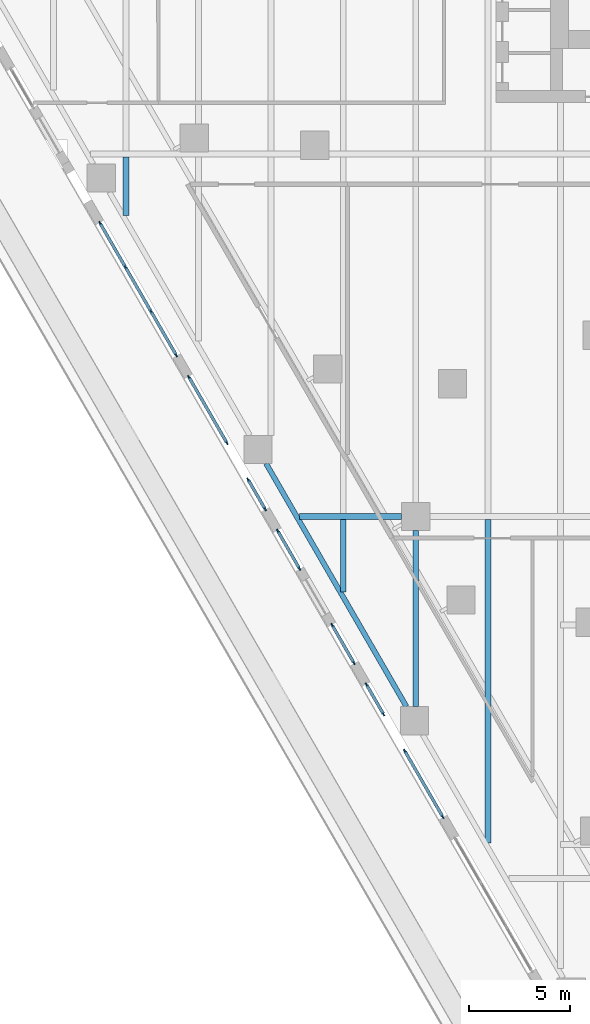
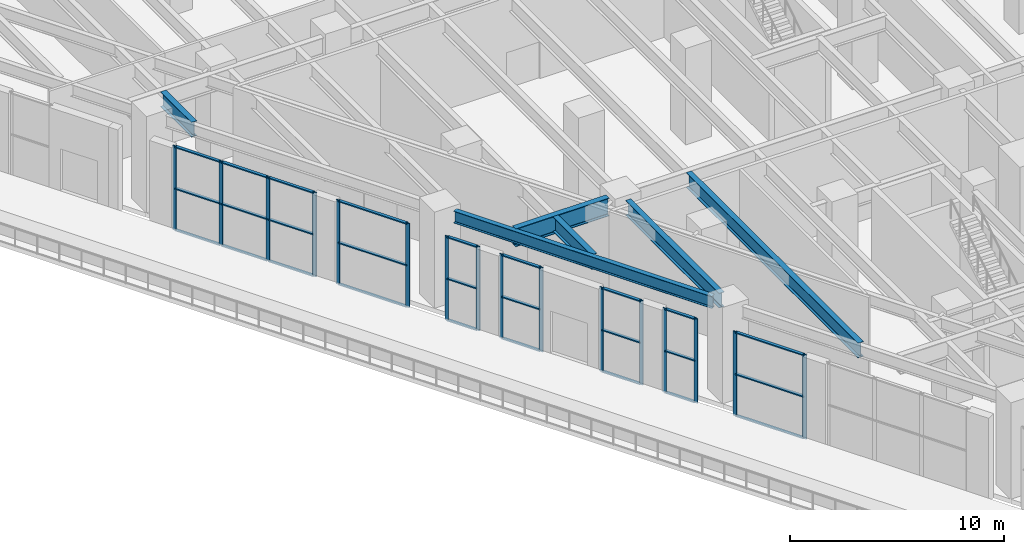
# One storey, part 4 of 30: 43 members, 6 beams, 7 elements without a shape of their own.
"""IFC4 building model written with IfcOpenShell, lengths in metres."""

import ifcopenshell
import ifcopenshell.guid

model = None  # the IFC model being written
_history = None  # IfcOwnerHistory: only IFC2X3 demands one
_inside = {}  # id of a spatial element -> (the spatial element, [elements in it])
_under = {}  # id of a project, library or spatial element -> (it, [spatial elements below it])
_declared = {}  # id of a project -> (the project, [libraries it declares])
_typed = {}  # id of a type object -> (the type object, [elements of that type])
_made_of = {}  # id of a material, layer set ... -> (it, [elements and type objects made of it])


def new_model(schema):
    """Start an empty IFC model of exactly this schema.

    Asked for "IFC4X3", IfcOpenShell would pick the latest addendum, in which some entities
    have other attributes; the version numbers below select the first issue.
    IFC2X3 requires an IfcOwnerHistory on every rooted entity: one is made here for all.
    """
    global model, _history
    if schema == "IFC4X3":
        model = ifcopenshell.file(schema_version=(4, 3, 0, 0))
    else:
        model = ifcopenshell.file(schema=schema)
    _inside.clear()
    _under.clear()
    _declared.clear()
    _typed.clear()
    _made_of.clear()
    _history = None
    if model.schema == "IFC2X3":
        org = make("IfcOrganization", Name="unknown")
        user = make(
            "IfcPersonAndOrganization",
            ThePerson=make("IfcPerson", FamilyName="unknown"),
            TheOrganization=org,
        )
        app = make(
            "IfcApplication",
            ApplicationDeveloper=org,
            Version="unknown",
            ApplicationFullName="unknown",
            ApplicationIdentifier="unknown",
        )
        _history = make(
            "IfcOwnerHistory",
            OwningUser=user,
            OwningApplication=app,
            ChangeAction="ADDED",
            CreationDate=0,
        )
    return model


def make(cls, **values):
    """One entity of the class cls with the attributes given. An attribute that is None is left unset."""
    return model.create_entity(
        cls, **{name: value for name, value in values.items() if value is not None}
    )


def rooted(cls, **values):
    """An entity with a GlobalId (a new one), such as an element, a storey or a relation."""
    return make(cls, GlobalId=ifcopenshell.guid.new(), OwnerHistory=_history, **values)


def si_unit(unit_type, name, prefix=None):
    """IfcSIUnit, for example si_unit("LENGTHUNIT", "METRE", prefix="MILLI")."""
    return make("IfcSIUnit", UnitType=unit_type, Prefix=prefix, Name=name)


def assignment(units):
    """IfcUnitAssignment: the units of a project."""
    return None if units is None else make("IfcUnitAssignment", Units=units)


def point(xyz):
    """IfcCartesianPoint."""
    return None if xyz is None else make("IfcCartesianPoint", Coordinates=xyz)


def direction(xyz):
    """IfcDirection."""
    return None if xyz is None else make("IfcDirection", DirectionRatios=xyz)


def frame(location, z_axis=None, x_axis=None):
    """IfcAxis2Placement3D, a coordinate frame: its origin and axes. An axis left out is left unset."""
    return make(
        "IfcAxis2Placement3D",
        Location=point(location),
        Axis=direction(z_axis),
        RefDirection=direction(x_axis),
    )


def frame_2d(location, x_axis=None):
    """IfcAxis2Placement2D, a coordinate frame in the plane: its origin and x axis."""
    return make(
        "IfcAxis2Placement2D", Location=point(location), RefDirection=direction(x_axis)
    )


def origin():
    """The frame at (0, 0, 0) with its axes left unset."""
    return frame((0.0, 0.0, 0.0))


def origin_2d():
    """The frame at (0, 0) in the plane with its x axis left unset."""
    return frame_2d((0.0, 0.0))


def place(relative_to, where):
    """IfcLocalPlacement: puts the frame where relative to a parent placement (None: the world)."""
    return make(
        "IfcLocalPlacement", PlacementRelTo=relative_to, RelativePlacement=where
    )


def context(
    kind, dimensions, precision=None, world=None, true_north=None, identifier=None
):
    """IfcGeometricRepresentationContext, for example the 3D "Model" context."""
    return make(
        "IfcGeometricRepresentationContext",
        ContextIdentifier=identifier,
        ContextType=kind,
        CoordinateSpaceDimension=dimensions,
        Precision=precision,
        WorldCoordinateSystem=world,
        TrueNorth=true_north,
    )


def subcontext(parent, identifier, kind, view, scale=None):
    """IfcGeometricRepresentationSubContext, for example "Body" below "Model"."""
    return make(
        "IfcGeometricRepresentationSubContext",
        ContextIdentifier=identifier,
        ContextType=kind,
        ParentContext=parent,
        TargetScale=scale,
        TargetView=view,
    )


def project(units=None, contexts=None):
    """IfcProject with its units and contexts."""
    return rooted(
        "IfcProject",
        Name="project",
        RepresentationContexts=contexts,
        UnitsInContext=assignment(units),
    )


def spatial(cls, under=None, at=None, **own):
    """A site, building, storey or space (cls), placed at a placement, below another one or the project."""
    s = rooted(cls, ObjectPlacement=at, **own)
    if under is not None:
        _under.setdefault(under.id(), (under, []))[1].append(s)
    return s


def profile(cls, at=None, kind="AREA", **sizes):
    """A parametric profile (cls). Its sizes go by their IFC names, for example OverallWidth=200.0."""
    return make(cls, ProfileType=kind, Position=at, **sizes)


def rectangle(**sizes):
    """IfcRectangleProfileDef."""
    return profile("IfcRectangleProfileDef", **sizes)


def i_section(**sizes):
    """IfcIShapeProfileDef."""
    return profile("IfcIShapeProfileDef", **sizes)


def extrude(swept, where, along, depth):
    """IfcExtrudedAreaSolid: the profile swept, set in the frame where, extruded along a direction by depth."""
    return make(
        "IfcExtrudedAreaSolid",
        SweptArea=swept,
        Position=where,
        ExtrudedDirection=direction(along),
        Depth=depth,
    )


def shape(context_of_items, identifier, shape_type, items):
    """IfcShapeRepresentation: the items that make up one representation, for example the "Body"."""
    return make(
        "IfcShapeRepresentation",
        ContextOfItems=context_of_items,
        RepresentationIdentifier=identifier,
        RepresentationType=shape_type,
        Items=items,
    )


def material(Name=None, Category=None):
    """IfcMaterial."""
    return make("IfcMaterial", Name=Name, Category=Category)


def material_profile(
    of_material, cross_section, Name=None, Category=None, Priority=None
):
    """IfcMaterialProfile: a cross section and its material."""
    return make(
        "IfcMaterialProfile",
        Name=Name,
        Material=of_material,
        Profile=cross_section,
        Priority=Priority,
        Category=Category,
    )


def profile_set(profiles, Name=None, composite=None):
    """IfcMaterialProfileSet."""
    return make(
        "IfcMaterialProfileSet",
        Name=Name,
        MaterialProfiles=profiles,
        CompositeProfile=composite,
    )


def made_of(thing, what):
    """Note that an element or type object is made of a material, layer set ...; save() writes the relation."""
    if what is not None:
        _made_of.setdefault(what.id(), (what, []))[1].append(thing)
    return thing


def type_object(cls, material=None, **own):
    """A type object (cls), such as IfcWallType, which elements share."""
    return made_of(rooted(cls, **own), material)


def element(
    cls,
    number,
    at=None,
    inside=None,
    cuts=None,
    type_object=None,
    material=None,
    context=None,
    identifier="Body",
    shape_type=None,
    held_by="IfcProductDefinitionShape",
    body=None,
    shapes=None,
    **own,
):
    """One element of the class cls, such as IfcWall. Its Tag is "e" and its number.

    at: its placement. inside: the storey or other place that contains it. cuts: it is an
    opening in that element (IfcRelVoidsElement). A single representation is given by context,
    identifier, shape_type and body (its items); several are given by shapes. held_by: the class
    of the entity that holds the representations. save() writes the other relations.
    """
    e = rooted(cls, Tag="e%d" % number, ObjectPlacement=at, **own)
    if body is not None:
        shapes = [shape(context, identifier, shape_type, body)]
    if shapes is not None:
        e.Representation = make(held_by, Representations=shapes)
    if inside is not None:
        _inside.setdefault(inside.id(), (inside, []))[1].append(e)
    if cuts is not None:
        rooted(
            "IfcRelVoidsElement", RelatingBuildingElement=cuts, RelatedOpeningElement=e
        )
    if type_object is not None:
        _typed.setdefault(type_object.id(), (type_object, []))[1].append(e)
    return made_of(e, material)


def aggregate(whole, parts):
    """IfcRelAggregates: a whole, such as a stair, and the parts it consists of."""
    return rooted("IfcRelAggregates", RelatingObject=whole, RelatedObjects=parts)


def save(model, path):
    """Write the relations noted so far, then the file.

    IfcRelAggregates (storeys below a building ...), IfcRelContainedInSpatialStructure (elements
    in a storey), IfcRelDefinesByType, IfcRelAssociatesMaterial and IfcRelDeclares: one each for
    every whole, place, type object, material and project.
    """
    for whole, parts in _under.values():
        aggregate(whole, parts)
    for where, things in _inside.values():
        rooted(
            "IfcRelContainedInSpatialStructure",
            RelatedElements=things,
            RelatingStructure=where,
        )
    for kind, things in _typed.values():
        rooted("IfcRelDefinesByType", RelatedObjects=things, RelatingType=kind)
    for what, things in _made_of.values():
        rooted("IfcRelAssociatesMaterial", RelatedObjects=things, RelatingMaterial=what)
    for by, libraries in _declared.values():
        rooted("IfcRelDeclares", RelatingContext=by, RelatedDefinitions=libraries)
    model.write(path)


model = new_model("IFC4")

# Units and contexts
model_context = context("Model", 3, precision=1e-05, world=origin(), true_north=direction((0.0, 1.0)))
body_context = subcontext(model_context, "Body", "Model", "MODEL_VIEW")
ifc_project = project(units=[si_unit("LENGTHUNIT", "METRE"), si_unit("AREAUNIT", "SQUARE_METRE"), si_unit("VOLUMEUNIT", "CUBIC_METRE"), si_unit("PLANEANGLEUNIT", "RADIAN"), si_unit("MASSUNIT", "GRAM", prefix="KILO")], contexts=[model_context])

# Site, building, storey
site_placement = place(None, origin())
site = spatial("IfcSite", under=ifc_project, at=site_placement, CompositionType="ELEMENT")
building_placement = place(site_placement, origin())
building = spatial("IfcBuilding", under=site, at=building_placement, Name="Aloe Facet Convention Tower", CompositionType="ELEMENT")
storey_placement = place(building_placement, frame((0.0, 0.0, 19.5)))
storey = spatial("IfcBuildingStorey", under=building, at=storey_placement, Name="L03", CompositionType="ELEMENT", Elevation=19.5)

# Curtain wall, members
ifc_material_1 = material(Name="Aluminium, anodised", Category="aluminium")
curtain_wall_type = type_object("IfcCurtainWallType", Name="EV-CW-HALL", PredefinedType="USERDEFINED", material=ifc_material_1)
curtain_wall_1_placement = place(storey_placement, origin())
curtain_wall_1 = element("IfcCurtainWall", 1, at=curtain_wall_1_placement, inside=storey, type_object=curtain_wall_type, Name="CW-L03-W06", ObjectType="UNITISED HALL GLAZING", PredefinedType="USERDEFINED")
ifc_material_2 = material(Name="Aluminium, anodised", Category="aluminium")
ifc_material_profile_1 = material_profile(ifc_material_2, rectangle(XDim=0.06494140625, YDim=0.199951171875, at=origin_2d()), Name="AL 65x200")
ifc_profile_set_1 = profile_set([ifc_material_profile_1], Name="Aluminium, anodised")
member_type_1 = type_object("IfcMemberType", Name="EV-MULL-HALL", PredefinedType="MULLION", material=ifc_profile_set_1)
member_1_placement = place(storey_placement, frame((46.3173828125, 113.560546875, -0.25), z_axis=(0.0, 0.0, 1.0), x_axis=(0.866025403802, 0.49999999997, 0.0)))
member_1 = element("IfcMember", 2, at=member_1_placement, type_object=member_type_1, Name="CW-L03-W06 mullion 1", PredefinedType="MULLION", context=body_context, shape_type="SweptSolid", body=[
    extrude(rectangle(XDim=0.06494140625, YDim=0.199951171875, at=origin_2d()), origin(), (0.0, 0.0, 1.0), 4.8125),
])
member_2_placement = place(storey_placement, frame((47.572265625, 111.386962890625, -0.25), z_axis=(0.0, 0.0, 1.0), x_axis=(0.866025403802, 0.49999999997, 0.0)))
member_2 = element("IfcMember", 3, at=member_2_placement, type_object=member_type_1, Name="CW-L03-W06 mullion 2", PredefinedType="MULLION", context=body_context, shape_type="SweptSolid", body=[
    extrude(rectangle(XDim=0.06494140625, YDim=0.199951171875, at=origin_2d()), origin(), (0.0, 0.0, 1.0), 4.8125),
])
member_3_placement = place(storey_placement, frame((48.843505859375, 109.185302734375, -0.25), z_axis=(0.0, 0.0, 1.0), x_axis=(0.866025403802, 0.49999999997, 0.0)))
member_3 = element("IfcMember", 4, at=member_3_placement, type_object=member_type_1, Name="CW-L03-W06 mullion 3", PredefinedType="MULLION", context=body_context, shape_type="SweptSolid", body=[
    extrude(rectangle(XDim=0.06494140625, YDim=0.199951171875, at=origin_2d()), origin(), (0.0, 0.0, 1.0), 4.8125),
])
member_4_placement = place(storey_placement, frame((50.098388671875, 107.011962890625, -0.25), z_axis=(0.0, 0.0, 1.0), x_axis=(0.866025403802, 0.49999999997, 0.0)))
member_4 = element("IfcMember", 5, at=member_4_placement, type_object=member_type_1, Name="CW-L03-W06 mullion 4", PredefinedType="MULLION", context=body_context, shape_type="SweptSolid", body=[
    extrude(rectangle(XDim=0.06494140625, YDim=0.199951171875, at=origin_2d()), origin(), (0.0, 0.0, 1.0), 4.8125),
])

curtain_wall_2_placement = place(storey_placement, origin())
curtain_wall_2 = element("IfcCurtainWall", 6, at=curtain_wall_2_placement, inside=storey, type_object=curtain_wall_type, Name="CW-L03-W08-1", ObjectType="UNITISED HALL GLAZING", PredefinedType="USERDEFINED")
member_5_placement = place(storey_placement, frame((50.730712890625, 105.916259765625, -0.25), z_axis=(0.0, 0.0, 1.0), x_axis=(0.866025403802, 0.49999999997, 0.0)))
member_5 = element("IfcMember", 7, at=member_5_placement, type_object=member_type_1, Name="CW-L03-W08-1 mullion 1", PredefinedType="MULLION", context=body_context, shape_type="SweptSolid", body=[
    extrude(rectangle(XDim=0.06494140625, YDim=0.199951171875, at=origin_2d()), origin(), (0.0, 0.0, 1.0), 4.8125),
])
member_6_placement = place(storey_placement, frame((52.614990234375, 102.65283203125, -0.25), z_axis=(0.0, 0.0, 1.0), x_axis=(0.866025403802, 0.49999999997, 0.0)))
member_6 = element("IfcMember", 8, at=member_6_placement, type_object=member_type_1, Name="CW-L03-W08-1 mullion 2", PredefinedType="MULLION", context=body_context, shape_type="SweptSolid", body=[
    extrude(rectangle(XDim=0.06494140625, YDim=0.199951171875, at=origin_2d()), origin(), (0.0, 0.0, 1.0), 4.8125),
])

curtain_wall_3_placement = place(storey_placement, origin())
curtain_wall_3 = element("IfcCurtainWall", 9, at=curtain_wall_3_placement, inside=storey, type_object=curtain_wall_type, Name="CW-L03-W08-2", ObjectType="UNITISED HALL GLAZING", PredefinedType="USERDEFINED")
member_7_placement = place(storey_placement, frame((53.671875, 100.822021484375, -0.25), z_axis=(0.0, 0.0, 1.0), x_axis=(0.866025403846, 0.499999999894, 0.0)))
member_7 = element("IfcMember", 10, at=member_7_placement, type_object=member_type_1, Name="CW-L03-W08-2 mullion 1", PredefinedType="MULLION", context=body_context, shape_type="SweptSolid", body=[
    extrude(rectangle(XDim=0.06494140625, YDim=0.199951171875, at=origin_2d()), origin(), (0.0, 0.0, 1.0), 4.8125),
])
member_8_placement = place(storey_placement, frame((54.51171875, 99.36767578125, -0.25), z_axis=(0.0, 0.0, 1.0), x_axis=(0.866025403846, 0.499999999894, 0.0)))
member_8 = element("IfcMember", 11, at=member_8_placement, type_object=member_type_1, Name="CW-L03-W08-2 mullion 2", PredefinedType="MULLION", context=body_context, shape_type="SweptSolid", body=[
    extrude(rectangle(XDim=0.06494140625, YDim=0.199951171875, at=origin_2d()), origin(), (0.0, 0.0, 1.0), 4.8125),
])

curtain_wall_4_placement = place(storey_placement, origin())
curtain_wall_4 = element("IfcCurtainWall", 12, at=curtain_wall_4_placement, inside=storey, type_object=curtain_wall_type, Name="CW-L03-W10A", ObjectType="UNITISED HALL GLAZING", PredefinedType="USERDEFINED")
member_9_placement = place(storey_placement, frame((55.14404296875, 98.272216796875, -0.25), z_axis=(0.0, 0.0, 1.0), x_axis=(0.86602540388, 0.499999999834, 0.0)))
member_9 = element("IfcMember", 13, at=member_9_placement, type_object=member_type_1, Name="CW-L03-W10A mullion 1", PredefinedType="MULLION", context=body_context, shape_type="SweptSolid", body=[
    extrude(rectangle(XDim=0.06494140625, YDim=0.199951171875, at=origin_2d()), origin(), (0.0, 0.0, 1.0), 4.8125),
])
member_10_placement = place(storey_placement, frame((56.21826171875, 96.41162109375, -0.25), z_axis=(0.0, 0.0, 1.0), x_axis=(0.86602540388, 0.499999999834, 0.0)))
member_10 = element("IfcMember", 14, at=member_10_placement, type_object=member_type_1, Name="CW-L03-W10A mullion 2", PredefinedType="MULLION", context=body_context, shape_type="SweptSolid", body=[
    extrude(rectangle(XDim=0.06494140625, YDim=0.199951171875, at=origin_2d()), origin(), (0.0, 0.0, 1.0), 4.8125),
])

curtain_wall_5_placement = place(storey_placement, origin())
curtain_wall_5 = element("IfcCurtainWall", 15, at=curtain_wall_5_placement, inside=storey, type_object=curtain_wall_type, Name="CW-L03-W10B", ObjectType="UNITISED HALL GLAZING", PredefinedType="USERDEFINED")
member_11_placement = place(storey_placement, frame((57.850830078125, 93.583984375, -0.25), z_axis=(0.0, 0.0, 1.0), x_axis=(0.866025403767, 0.50000000003, 0.0)))
member_11 = element("IfcMember", 16, at=member_11_placement, type_object=member_type_1, Name="CW-L03-W10B mullion 1", PredefinedType="MULLION", context=body_context, shape_type="SweptSolid", body=[
    extrude(rectangle(XDim=0.06494140625, YDim=0.199951171875, at=origin_2d()), origin(), (0.0, 0.0, 1.0), 4.8125),
])
member_12_placement = place(storey_placement, frame((58.925048828125, 91.723388671875, -0.25), z_axis=(0.0, 0.0, 1.0), x_axis=(0.866025403767, 0.50000000003, 0.0)))
member_12 = element("IfcMember", 17, at=member_12_placement, type_object=member_type_1, Name="CW-L03-W10B mullion 2", PredefinedType="MULLION", context=body_context, shape_type="SweptSolid", body=[
    extrude(rectangle(XDim=0.06494140625, YDim=0.199951171875, at=origin_2d()), origin(), (0.0, 0.0, 1.0), 4.8125),
])

curtain_wall_6_placement = place(storey_placement, origin())
curtain_wall_6 = element("IfcCurtainWall", 18, at=curtain_wall_6_placement, inside=storey, type_object=curtain_wall_type, Name="CW-L03-W12-1", ObjectType="UNITISED HALL GLAZING", PredefinedType="USERDEFINED")
member_13_placement = place(storey_placement, frame((59.5576171875, 90.6279296875, -0.25), z_axis=(0.0, 0.0, 1.0), x_axis=(0.866025403531, 0.500000000438, 0.0)))
member_13 = element("IfcMember", 19, at=member_13_placement, type_object=member_type_1, Name="CW-L03-W12-1 mullion 1", PredefinedType="MULLION", context=body_context, shape_type="SweptSolid", body=[
    extrude(rectangle(XDim=0.06494140625, YDim=0.199951171875, at=origin_2d()), origin(), (0.0, 0.0, 1.0), 4.8125),
])
member_14_placement = place(storey_placement, frame((60.3974609375, 89.173095703125, -0.25), z_axis=(0.0, 0.0, 1.0), x_axis=(0.866025403531, 0.500000000438, 0.0)))
member_14 = element("IfcMember", 20, at=member_14_placement, type_object=member_type_1, Name="CW-L03-W12-1 mullion 2", PredefinedType="MULLION", context=body_context, shape_type="SweptSolid", body=[
    extrude(rectangle(XDim=0.06494140625, YDim=0.199951171875, at=origin_2d()), origin(), (0.0, 0.0, 1.0), 4.8125),
])

curtain_wall_7_placement = place(storey_placement, origin())
curtain_wall_7 = element("IfcCurtainWall", 21, at=curtain_wall_7_placement, inside=storey, type_object=curtain_wall_type, Name="CW-L03-W12-2", ObjectType="UNITISED HALL GLAZING", PredefinedType="USERDEFINED")
member_15_placement = place(storey_placement, frame((61.454345703125, 87.34228515625, -0.25), z_axis=(0.0, 0.0, 1.0), x_axis=(0.866025403767, 0.50000000003, 0.0)))
member_15 = element("IfcMember", 22, at=member_15_placement, type_object=member_type_1, Name="CW-L03-W12-2 mullion 1", PredefinedType="MULLION", context=body_context, shape_type="SweptSolid", body=[
    extrude(rectangle(XDim=0.06494140625, YDim=0.199951171875, at=origin_2d()), origin(), (0.0, 0.0, 1.0), 4.8125),
])
member_16_placement = place(storey_placement, frame((63.33837890625, 84.0791015625, -0.25), z_axis=(0.0, 0.0, 1.0), x_axis=(0.866025403767, 0.50000000003, 0.0)))
member_16 = element("IfcMember", 23, at=member_16_placement, type_object=member_type_1, Name="CW-L03-W12-2 mullion 2", PredefinedType="MULLION", context=body_context, shape_type="SweptSolid", body=[
    extrude(rectangle(XDim=0.06494140625, YDim=0.199951171875, at=origin_2d()), origin(), (0.0, 0.0, 1.0), 4.8125),
])

# Member
ifc_material_3 = material(Name="Aluminium, anodised", Category="aluminium")
ifc_material_profile_2 = material_profile(ifc_material_3, rectangle(XDim=0.159912109375, YDim=0.06494140625, at=origin_2d()), Name="AL 160x65")
ifc_profile_set_2 = profile_set([ifc_material_profile_2], Name="Aluminium, anodised")
member_type_2 = type_object("IfcMemberType", Name="EV-TRAN-HALL", PredefinedType="USERDEFINED", material=ifc_profile_set_2)
member_17_placement = place(storey_placement, frame((46.333740234375, 113.532470703125, -0.217529296875), z_axis=(0.499941460885, -0.86605919872, 0.0), x_axis=(0.86605919872, 0.499941460885, 0.0)))
member_17 = element("IfcMember", 24, at=member_17_placement, type_object=member_type_2, Name="CW-L03-W06 transom 1.1", ObjectType="TRANSOM", PredefinedType="USERDEFINED", context=body_context, shape_type="SweptSolid", body=[
    extrude(rectangle(XDim=0.159912109375, YDim=0.06494140625, at=origin_2d()), origin(), (0.0, 0.0, 1.0), 2.444580078125),
])

member_18_placement = place(storey_placement, frame((46.333740234375, 113.532470703125, 2.15625), z_axis=(0.499941460885, -0.86605919872, 0.0), x_axis=(0.86605919872, 0.499941460885, 0.0)))
member_18 = element("IfcMember", 25, at=member_18_placement, type_object=member_type_2, Name="CW-L03-W06 transom 1.2", ObjectType="TRANSOM", PredefinedType="USERDEFINED", context=body_context, shape_type="SweptSolid", body=[
    extrude(rectangle(XDim=0.159912109375, YDim=0.06494140625, at=origin_2d()), origin(), (0.0, 0.0, 1.0), 2.444580078125),
])

member_19_placement = place(storey_placement, frame((46.333740234375, 113.532470703125, 4.530029296875), z_axis=(0.499941460885, -0.86605919872, 0.0), x_axis=(0.86605919872, 0.499941460885, 0.0)))
member_19 = element("IfcMember", 26, at=member_19_placement, type_object=member_type_2, Name="CW-L03-W06 transom 1.3", ObjectType="TRANSOM", PredefinedType="USERDEFINED", context=body_context, shape_type="SweptSolid", body=[
    extrude(rectangle(XDim=0.159912109375, YDim=0.06494140625, at=origin_2d()), origin(), (0.0, 0.0, 1.0), 2.444580078125),
])

member_20_placement = place(storey_placement, frame((47.588623046875, 111.35888671875, -0.217529296875), z_axis=(0.499986929959, -0.866032949645, 0.0), x_axis=(0.866032949645, 0.499986929959, 0.0)))
member_20 = element("IfcMember", 27, at=member_20_placement, type_object=member_type_2, Name="CW-L03-W06 transom 2.1", ObjectType="TRANSOM", PredefinedType="USERDEFINED", context=body_context, shape_type="SweptSolid", body=[
    extrude(rectangle(XDim=0.159912109375, YDim=0.06494140625, at=origin_2d()), origin(), (0.0, 0.0, 1.0), 2.47705078125),
])

member_21_placement = place(storey_placement, frame((47.588623046875, 111.35888671875, 2.15625), z_axis=(0.499986929959, -0.866032949645, 0.0), x_axis=(0.866032949645, 0.499986929959, 0.0)))
member_21 = element("IfcMember", 28, at=member_21_placement, type_object=member_type_2, Name="CW-L03-W06 transom 2.2", ObjectType="TRANSOM", PredefinedType="USERDEFINED", context=body_context, shape_type="SweptSolid", body=[
    extrude(rectangle(XDim=0.159912109375, YDim=0.06494140625, at=origin_2d()), origin(), (0.0, 0.0, 1.0), 2.47705078125),
])

member_22_placement = place(storey_placement, frame((47.588623046875, 111.35888671875, 4.530029296875), z_axis=(0.499986929959, -0.866032949645, 0.0), x_axis=(0.866032949645, 0.499986929959, 0.0)))
member_22 = element("IfcMember", 29, at=member_22_placement, type_object=member_type_2, Name="CW-L03-W06 transom 2.3", ObjectType="TRANSOM", PredefinedType="USERDEFINED", context=body_context, shape_type="SweptSolid", body=[
    extrude(rectangle(XDim=0.159912109375, YDim=0.06494140625, at=origin_2d()), origin(), (0.0, 0.0, 1.0), 2.47705078125),
])

member_23_placement = place(storey_placement, frame((48.859619140625, 109.1572265625, -0.217529296875), z_axis=(0.500016362458, -0.866015956709, 0.0), x_axis=(0.866015956709, 0.500016362458, 0.0)))
member_23 = element("IfcMember", 30, at=member_23_placement, type_object=member_type_2, Name="CW-L03-W06 transom 3.1", ObjectType="TRANSOM", PredefinedType="USERDEFINED", context=body_context, shape_type="SweptSolid", body=[
    extrude(rectangle(XDim=0.159912109375, YDim=0.06494140625, at=origin_2d()), origin(), (0.0, 0.0, 1.0), 2.44482421875),
])

member_24_placement = place(storey_placement, frame((48.859619140625, 109.1572265625, 2.15625), z_axis=(0.500016362458, -0.866015956709, 0.0), x_axis=(0.866015956709, 0.500016362458, 0.0)))
member_24 = element("IfcMember", 31, at=member_24_placement, type_object=member_type_2, Name="CW-L03-W06 transom 3.2", ObjectType="TRANSOM", PredefinedType="USERDEFINED", context=body_context, shape_type="SweptSolid", body=[
    extrude(rectangle(XDim=0.159912109375, YDim=0.06494140625, at=origin_2d()), origin(), (0.0, 0.0, 1.0), 2.44482421875),
])

member_25_placement = place(storey_placement, frame((48.859619140625, 109.1572265625, 4.530029296875), z_axis=(0.500016362458, -0.866015956709, 0.0), x_axis=(0.866015956709, 0.500016362458, 0.0)))
member_25 = element("IfcMember", 32, at=member_25_placement, type_object=member_type_2, Name="CW-L03-W06 transom 3.3", ObjectType="TRANSOM", PredefinedType="USERDEFINED", context=body_context, shape_type="SweptSolid", body=[
    extrude(rectangle(XDim=0.159912109375, YDim=0.06494140625, at=origin_2d()), origin(), (0.0, 0.0, 1.0), 2.44482421875),
])

aggregate(curtain_wall_1, [member_1, member_2, member_3, member_4, member_17, member_18, member_19, member_20, member_21, member_22, member_23, member_24, member_25])

member_26_placement = place(storey_placement, frame((50.7470703125, 105.88818359375, -0.217529296875), z_axis=(0.499996383721, -0.866027491634, 0.0), x_axis=(0.866027491634, 0.499996383721, 0.0)))
member_26 = element("IfcMember", 33, at=member_26_placement, type_object=member_type_2, Name="CW-L03-W08-1 transom 1.1", ObjectType="TRANSOM", PredefinedType="USERDEFINED", context=body_context, shape_type="SweptSolid", body=[
    extrude(rectangle(XDim=0.159912109375, YDim=0.06494140625, at=origin_2d()), origin(), (0.0, 0.0, 1.0), 3.703125),
])

member_27_placement = place(storey_placement, frame((50.7470703125, 105.88818359375, 2.15625), z_axis=(0.499996383721, -0.866027491634, 0.0), x_axis=(0.866027491634, 0.499996383721, 0.0)))
member_27 = element("IfcMember", 34, at=member_27_placement, type_object=member_type_2, Name="CW-L03-W08-1 transom 1.2", ObjectType="TRANSOM", PredefinedType="USERDEFINED", context=body_context, shape_type="SweptSolid", body=[
    extrude(rectangle(XDim=0.159912109375, YDim=0.06494140625, at=origin_2d()), origin(), (0.0, 0.0, 1.0), 3.703125),
])

member_28_placement = place(storey_placement, frame((50.7470703125, 105.88818359375, 4.530029296875), z_axis=(0.499996383721, -0.866027491634, 0.0), x_axis=(0.866027491634, 0.499996383721, 0.0)))
member_28 = element("IfcMember", 35, at=member_28_placement, type_object=member_type_2, Name="CW-L03-W08-1 transom 1.3", ObjectType="TRANSOM", PredefinedType="USERDEFINED", context=body_context, shape_type="SweptSolid", body=[
    extrude(rectangle(XDim=0.159912109375, YDim=0.06494140625, at=origin_2d()), origin(), (0.0, 0.0, 1.0), 3.703125),
])

aggregate(curtain_wall_2, [member_5, member_6, member_26, member_27, member_28])

member_29_placement = place(storey_placement, frame((53.688232421875, 100.7939453125, -0.217529296875), z_axis=(0.499944992379, -0.86605716012, 0.0), x_axis=(0.86605716012, 0.499944992379, 0.0)))
member_29 = element("IfcMember", 36, at=member_29_placement, type_object=member_type_2, Name="CW-L03-W08-2 transom 1.1", ObjectType="TRANSOM", PredefinedType="USERDEFINED", context=body_context, shape_type="SweptSolid", body=[
    extrude(rectangle(XDim=0.159912109375, YDim=0.06494140625, at=origin_2d()), origin(), (0.0, 0.0, 1.0), 1.614501953125),
])

member_30_placement = place(storey_placement, frame((53.688232421875, 100.7939453125, 2.15625), z_axis=(0.499944992379, -0.86605716012, 0.0), x_axis=(0.86605716012, 0.499944992379, 0.0)))
member_30 = element("IfcMember", 37, at=member_30_placement, type_object=member_type_2, Name="CW-L03-W08-2 transom 1.2", ObjectType="TRANSOM", PredefinedType="USERDEFINED", context=body_context, shape_type="SweptSolid", body=[
    extrude(rectangle(XDim=0.159912109375, YDim=0.06494140625, at=origin_2d()), origin(), (0.0, 0.0, 1.0), 1.614501953125),
])

member_31_placement = place(storey_placement, frame((53.688232421875, 100.7939453125, 4.530029296875), z_axis=(0.499944992379, -0.86605716012, 0.0), x_axis=(0.86605716012, 0.499944992379, 0.0)))
member_31 = element("IfcMember", 38, at=member_31_placement, type_object=member_type_2, Name="CW-L03-W08-2 transom 1.3", ObjectType="TRANSOM", PredefinedType="USERDEFINED", context=body_context, shape_type="SweptSolid", body=[
    extrude(rectangle(XDim=0.159912109375, YDim=0.06494140625, at=origin_2d()), origin(), (0.0, 0.0, 1.0), 1.614501953125),
])

aggregate(curtain_wall_3, [member_7, member_8, member_29, member_30, member_31])

member_32_placement = place(storey_placement, frame((55.160400390625, 98.243896484375, -0.217529296875), z_axis=(0.500033530467, -0.866006044095, 0.0), x_axis=(0.866006044095, 0.500033530467, 0.0)))
member_32 = element("IfcMember", 39, at=member_32_placement, type_object=member_type_2, Name="CW-L03-W10A transom 1.1", ObjectType="TRANSOM", PredefinedType="USERDEFINED", context=body_context, shape_type="SweptSolid", body=[
    extrude(rectangle(XDim=0.159912109375, YDim=0.06494140625, at=origin_2d()), origin(), (0.0, 0.0, 1.0), 2.083251953125),
])

member_33_placement = place(storey_placement, frame((55.160400390625, 98.243896484375, 2.15625), z_axis=(0.500033530467, -0.866006044095, 0.0), x_axis=(0.866006044095, 0.500033530467, 0.0)))
member_33 = element("IfcMember", 40, at=member_33_placement, type_object=member_type_2, Name="CW-L03-W10A transom 1.2", ObjectType="TRANSOM", PredefinedType="USERDEFINED", context=body_context, shape_type="SweptSolid", body=[
    extrude(rectangle(XDim=0.159912109375, YDim=0.06494140625, at=origin_2d()), origin(), (0.0, 0.0, 1.0), 2.083251953125),
])

member_34_placement = place(storey_placement, frame((55.160400390625, 98.243896484375, 4.530029296875), z_axis=(0.500033530467, -0.866006044095, 0.0), x_axis=(0.866006044095, 0.500033530467, 0.0)))
member_34 = element("IfcMember", 41, at=member_34_placement, type_object=member_type_2, Name="CW-L03-W10A transom 1.3", ObjectType="TRANSOM", PredefinedType="USERDEFINED", context=body_context, shape_type="SweptSolid", body=[
    extrude(rectangle(XDim=0.159912109375, YDim=0.06494140625, at=origin_2d()), origin(), (0.0, 0.0, 1.0), 2.083251953125),
])

aggregate(curtain_wall_4, [member_9, member_10, member_32, member_33, member_34])

member_35_placement = place(storey_placement, frame((57.8671875, 93.555908203125, -0.217529296875), z_axis=(0.499894898901, -0.866086075429, 0.0), x_axis=(0.866086075429, 0.499894898901, 0.0)))
member_35 = element("IfcMember", 42, at=member_35_placement, type_object=member_type_2, Name="CW-L03-W10B transom 1.1", ObjectType="TRANSOM", PredefinedType="USERDEFINED", context=body_context, shape_type="SweptSolid", body=[
    extrude(rectangle(XDim=0.159912109375, YDim=0.06494140625, at=origin_2d()), origin(), (0.0, 0.0, 1.0), 2.08349609375),
])

member_36_placement = place(storey_placement, frame((57.8671875, 93.555908203125, 2.15625), z_axis=(0.499894898901, -0.866086075429, 0.0), x_axis=(0.866086075429, 0.499894898901, 0.0)))
member_36 = element("IfcMember", 43, at=member_36_placement, type_object=member_type_2, Name="CW-L03-W10B transom 1.2", ObjectType="TRANSOM", PredefinedType="USERDEFINED", context=body_context, shape_type="SweptSolid", body=[
    extrude(rectangle(XDim=0.159912109375, YDim=0.06494140625, at=origin_2d()), origin(), (0.0, 0.0, 1.0), 2.08349609375),
])

member_37_placement = place(storey_placement, frame((57.8671875, 93.555908203125, 4.530029296875), z_axis=(0.499894898901, -0.866086075429, 0.0), x_axis=(0.866086075429, 0.499894898901, 0.0)))
member_37 = element("IfcMember", 44, at=member_37_placement, type_object=member_type_2, Name="CW-L03-W10B transom 1.3", ObjectType="TRANSOM", PredefinedType="USERDEFINED", context=body_context, shape_type="SweptSolid", body=[
    extrude(rectangle(XDim=0.159912109375, YDim=0.06494140625, at=origin_2d()), origin(), (0.0, 0.0, 1.0), 2.08349609375),
])

aggregate(curtain_wall_5, [member_11, member_12, member_35, member_36, member_37])

member_38_placement = place(storey_placement, frame((59.57373046875, 90.599853515625, -0.217529296875), z_axis=(0.49999293077, -0.866029485168, 0.0), x_axis=(0.866029485168, 0.49999293077, 0.0)))
member_38 = element("IfcMember", 45, at=member_38_placement, type_object=member_type_2, Name="CW-L03-W12-1 transom 1.1", ObjectType="TRANSOM", PredefinedType="USERDEFINED", context=body_context, shape_type="SweptSolid", body=[
    extrude(rectangle(XDim=0.159912109375, YDim=0.06494140625, at=origin_2d()), origin(), (0.0, 0.0, 1.0), 1.61474609375),
])

member_39_placement = place(storey_placement, frame((59.57373046875, 90.599853515625, 2.15625), z_axis=(0.49999293077, -0.866029485168, 0.0), x_axis=(0.866029485168, 0.49999293077, 0.0)))
member_39 = element("IfcMember", 46, at=member_39_placement, type_object=member_type_2, Name="CW-L03-W12-1 transom 1.2", ObjectType="TRANSOM", PredefinedType="USERDEFINED", context=body_context, shape_type="SweptSolid", body=[
    extrude(rectangle(XDim=0.159912109375, YDim=0.06494140625, at=origin_2d()), origin(), (0.0, 0.0, 1.0), 1.61474609375),
])

member_40_placement = place(storey_placement, frame((59.57373046875, 90.599853515625, 4.530029296875), z_axis=(0.49999293077, -0.866029485168, 0.0), x_axis=(0.866029485168, 0.49999293077, 0.0)))
member_40 = element("IfcMember", 47, at=member_40_placement, type_object=member_type_2, Name="CW-L03-W12-1 transom 1.3", ObjectType="TRANSOM", PredefinedType="USERDEFINED", context=body_context, shape_type="SweptSolid", body=[
    extrude(rectangle(XDim=0.159912109375, YDim=0.06494140625, at=origin_2d()), origin(), (0.0, 0.0, 1.0), 1.61474609375),
])

aggregate(curtain_wall_6, [member_13, member_14, member_38, member_39, member_40])

member_41_placement = place(storey_placement, frame((61.470703125, 87.314208984375, -0.217529296875), z_axis=(0.500024932513, -0.866011008513, 0.0), x_axis=(0.866011008513, 0.500024932513, 0.0)))
member_41 = element("IfcMember", 48, at=member_41_placement, type_object=member_type_2, Name="CW-L03-W12-2 transom 1.1", ObjectType="TRANSOM", PredefinedType="USERDEFINED", context=body_context, shape_type="SweptSolid", body=[
    extrude(rectangle(XDim=0.159912109375, YDim=0.06494140625, at=origin_2d()), origin(), (0.0, 0.0, 1.0), 3.702880859375),
])

member_42_placement = place(storey_placement, frame((61.470703125, 87.314208984375, 2.15625), z_axis=(0.500024932513, -0.866011008513, 0.0), x_axis=(0.866011008513, 0.500024932513, 0.0)))
member_42 = element("IfcMember", 49, at=member_42_placement, type_object=member_type_2, Name="CW-L03-W12-2 transom 1.2", ObjectType="TRANSOM", PredefinedType="USERDEFINED", context=body_context, shape_type="SweptSolid", body=[
    extrude(rectangle(XDim=0.159912109375, YDim=0.06494140625, at=origin_2d()), origin(), (0.0, 0.0, 1.0), 3.702880859375),
])

member_43_placement = place(storey_placement, frame((61.470703125, 87.314208984375, 4.530029296875), z_axis=(0.500024932513, -0.866011008513, 0.0), x_axis=(0.866011008513, 0.500024932513, 0.0)))
member_43 = element("IfcMember", 50, at=member_43_placement, type_object=member_type_2, Name="CW-L03-W12-2 transom 1.3", ObjectType="TRANSOM", PredefinedType="USERDEFINED", context=body_context, shape_type="SweptSolid", body=[
    extrude(rectangle(XDim=0.159912109375, YDim=0.06494140625, at=origin_2d()), origin(), (0.0, 0.0, 1.0), 3.702880859375),
])

aggregate(curtain_wall_7, [member_15, member_16, member_41, member_42, member_43])

# Beams
ifc_material_4 = material(Name="Steel S355", Category="steel")
ifc_material_profile_3 = material_profile(ifc_material_4, i_section(OverallWidth=0.305419921875, OverallDepth=1.02587890625, WebThickness=0.02001953125, FlangeThickness=0.031005859375, FilletRadius=0.030029296875, at=origin_2d()), Name="UB 1016x305x349")
ifc_profile_set_3 = profile_set([ifc_material_profile_3], Name="Steel S355")
beam_type_1 = type_object("IfcBeamType", Name="SF-B-UB1016x305x349", PredefinedType="BEAM", material=ifc_profile_set_3)
beam_1_placement = place(storey_placement, frame((56.237548828125, 99.0, 4.737060546875), z_axis=(1.0, 0.0, 0.0), x_axis=(0.0, 1.0, 0.0)))
element("IfcBeam", 51, at=beam_1_placement, inside=storey, type_object=beam_type_1, Name="Floor beam FB-L04-023", PredefinedType="BEAM", context=body_context, shape_type="SweptSolid", body=[
    extrude(i_section(OverallWidth=0.305419921875, OverallDepth=1.02587890625, WebThickness=0.02001953125, FlangeThickness=0.031005859375, FilletRadius=0.030029296875, at=origin_2d()), origin(), (0.0, 0.0, 1.0), 5.0625),
])
ifc_material_5 = material(Name="Steel S355", Category="steel")
ifc_material_profile_4 = material_profile(ifc_material_5, i_section(OverallWidth=0.25439453125, OverallDepth=0.6875, WebThickness=0.01318359375, FlangeThickness=0.02099609375, FilletRadius=0.01513671875, at=origin_2d()), Name="UB 686x254x152")
ifc_profile_set_4 = profile_set([ifc_material_profile_4], Name="Steel S355")
beam_type_2 = type_object("IfcBeamType", Name="SF-B-UB686x254x152", PredefinedType="BEAM", material=ifc_profile_set_4)
beam_2_placement = place(storey_placement, frame((61.53955078125, 89.544921875, 4.90625), z_axis=(-0.499996175863, 0.86602761164, 0.0), x_axis=(-0.86602761164, -0.499996175863, 0.0)))
element("IfcBeam", 52, at=beam_2_placement, inside=storey, type_object=beam_type_2, Name="Floor beam FB-L04-008", PredefinedType="BEAM", context=body_context, shape_type="SweptSolid", body=[
    extrude(i_section(OverallWidth=0.25439453125, OverallDepth=0.6875, WebThickness=0.01318359375, FlangeThickness=0.02099609375, FilletRadius=0.01513671875, at=origin_2d()), origin(), (0.0, 0.0, 1.0), 13.94873046875),
])
ifc_material_6 = material(Name="Steel S355", Category="steel")
ifc_material_profile_5 = material_profile(ifc_material_6, i_section(OverallWidth=0.293701171875, OverallDepth=0.850830078125, WebThickness=0.01611328125, FlangeThickness=0.02685546875, FilletRadius=0.017822265625, at=origin_2d()), Name="UB 838x292x226")
ifc_profile_set_5 = profile_set([ifc_material_profile_5], Name="Steel S355")
beam_type_3 = type_object("IfcBeamType", Name="SF-B-UB838x292x226", PredefinedType="BEAM", material=ifc_profile_set_5)
beam_3_placement = place(storey_placement, frame((47.60009765625, 113.95361328125, 4.824462890625), z_axis=(0.0, 1.0, 0.0), x_axis=(-1.0, 0.0, 0.0)))
element("IfcBeam", 53, at=beam_3_placement, inside=storey, type_object=beam_type_3, Name="Floor beam FB-L04-037", PredefinedType="BEAM", context=body_context, shape_type="SweptSolid", body=[
    extrude(i_section(OverallWidth=0.293701171875, OverallDepth=0.850830078125, WebThickness=0.01611328125, FlangeThickness=0.02685546875, FilletRadius=0.017822265625, at=origin_2d()), origin(), (0.0, 0.0, 1.0), 2.893798828125),
])
beam_4_placement = place(storey_placement, frame((58.39990234375, 95.247314453125, 4.824462890625), z_axis=(0.0, 1.0, 0.0), x_axis=(-1.0, 0.0, 0.0)))
element("IfcBeam", 54, at=beam_4_placement, inside=storey, type_object=beam_type_3, Name="Floor beam FB-L04-044", PredefinedType="BEAM", context=body_context, shape_type="SweptSolid", body=[
    extrude(i_section(OverallWidth=0.293701171875, OverallDepth=0.850830078125, WebThickness=0.01611328125, FlangeThickness=0.02685546875, FilletRadius=0.017822265625, at=origin_2d()), origin(), (0.0, 0.0, 1.0), 3.60009765625),
])
beam_5_placement = place(storey_placement, frame((62.0, 89.544921875, 4.824462890625), z_axis=(0.0, 1.0, 0.0), x_axis=(-1.0, 0.0, 0.0)))
element("IfcBeam", 55, at=beam_5_placement, inside=storey, type_object=beam_type_3, Name="Floor beam FB-L04-047", PredefinedType="BEAM", context=body_context, shape_type="SweptSolid", body=[
    extrude(i_section(OverallWidth=0.293701171875, OverallDepth=0.850830078125, WebThickness=0.01611328125, FlangeThickness=0.02685546875, FilletRadius=0.017822265625, at=origin_2d()), origin(), (0.0, 0.0, 1.0), 8.755126953125),
])
beam_6_placement = place(storey_placement, frame((65.60009765625, 82.776611328125, 4.824462890625), z_axis=(0.0, 1.0, 0.0), x_axis=(-1.0, 0.0, 0.0)))
element("IfcBeam", 56, at=beam_6_placement, inside=storey, type_object=beam_type_3, Name="Floor beam FB-L04-050", PredefinedType="BEAM", context=body_context, shape_type="SweptSolid", body=[
    extrude(i_section(OverallWidth=0.293701171875, OverallDepth=0.850830078125, WebThickness=0.01611328125, FlangeThickness=0.02685546875, FilletRadius=0.017822265625, at=origin_2d()), origin(), (0.0, 0.0, 1.0), 16.07080078125),
])

save(model, "model.ifc")
